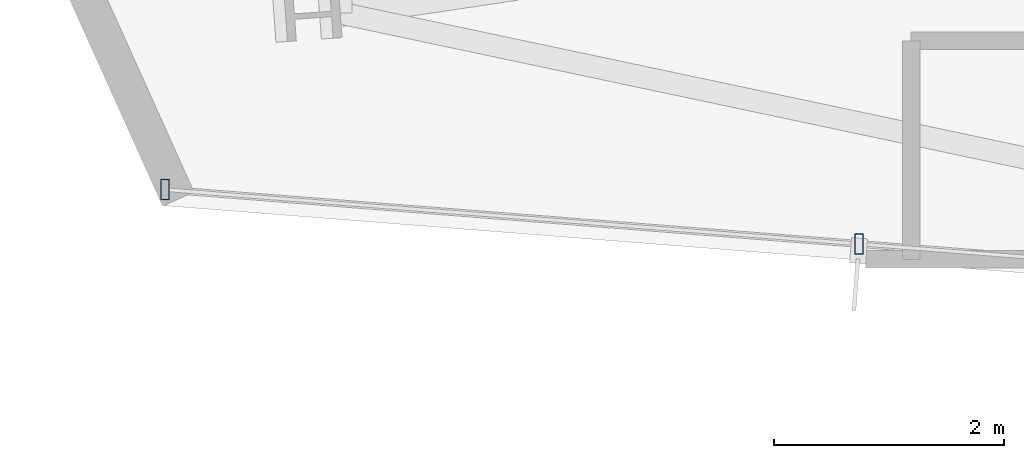
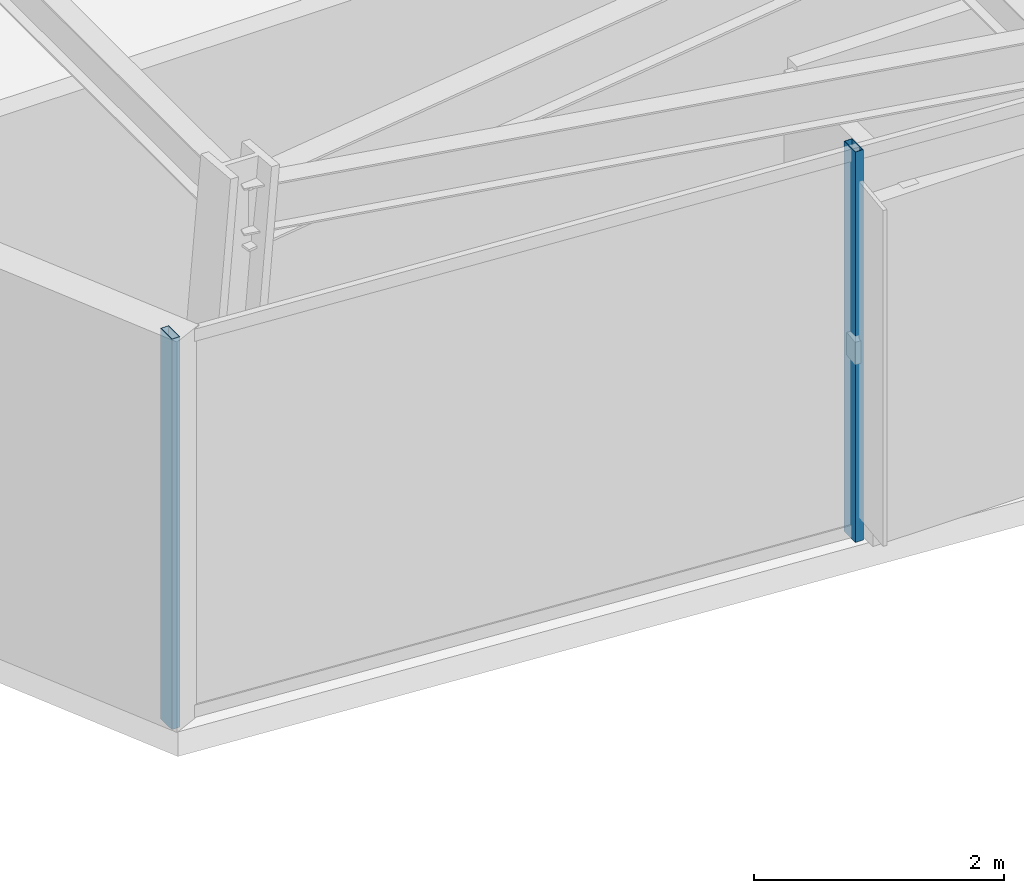
# One storey, part 2 of 31: 2 members, 1 element without a shape of its own.
"""IFC4 building model written with IfcOpenShell, lengths in metres."""

from ifc_helpers import new_model, si_unit, direction, frame, origin, origin_2d, place, context, subcontext, project, spatial, hollow_rectangle, extrude, material, layer, layer_set, material_profile, profile_set, type_object, element, aggregate, save


model = new_model("IFC4")

# Units and contexts
model_context = context("Model", 3, precision=1e-05, world=origin(), true_north=direction((0.0, 1.0)))
body_context = subcontext(model_context, "Body", "Model", "MODEL_VIEW")
ifc_project = project(units=[si_unit("LENGTHUNIT", "METRE"), si_unit("AREAUNIT", "SQUARE_METRE"), si_unit("VOLUMEUNIT", "CUBIC_METRE"), si_unit("PLANEANGLEUNIT", "RADIAN"), si_unit("MASSUNIT", "GRAM", prefix="KILO")], contexts=[model_context])

# Site, building, storey
site_placement = place(None, origin())
site = spatial("IfcSite", under=ifc_project, at=site_placement, CompositionType="ELEMENT")
building_placement = place(site_placement, origin())
building = spatial("IfcBuilding", under=site, at=building_placement, Name="Veymaron Broadcast Tower", CompositionType="ELEMENT")
storey_placement = place(building_placement, frame((0.0, 0.0, 70.199951171875)))
storey = spatial("IfcBuildingStorey", under=building, at=storey_placement, Name="L15", CompositionType="ELEMENT", Elevation=70.199951171875)

# Curtain wall, members
ifc_material_1 = material(Name="Anodised aluminium AA 6063-T6 and laminated low-E dark glass", Category="aluminium")
ifc_layer = layer(ifc_material_1, 0.179931640625)
ifc_layer_set = layer_set([ifc_layer], Name="Anodised aluminium AA 6063-T6 and laminated low-E dark glass")
curtain_wall_type = type_object("IfcCurtainWallType", Name="CW-SYS-02", PredefinedType="NOTDEFINED", material=ifc_layer_set)
curtain_wall_placement = place(storey_placement, origin())
curtain_wall = element("IfcCurtainWall", 1, at=curtain_wall_placement, inside=storey, type_object=curtain_wall_type, Name="L15 dark-glass curtain wall CW-L15-E14-1", PredefinedType="NOTDEFINED")
ifc_material_2 = material(Name="Anodised aluminium AA 6063-T6", Category="aluminium")
ifc_material_profile = material_profile(ifc_material_2, hollow_rectangle(XDim=0.074951171875, YDim=0.179931640625, WallThickness=0.0048828125, at=origin_2d()), Name="AL180X75X5")
ifc_profile_set = profile_set([ifc_material_profile], Name="Anodised aluminium AA 6063-T6")
member_type = type_object("IfcMemberType", Name="CW-MUL-02", PredefinedType="MULLION", material=ifc_profile_set)
member_1_placement = place(storey_placement, frame((7.510986328125, 19.15625, 0.0), z_axis=(0.0, 0.0, 1.0), x_axis=(1.0, 0.0, 0.0)))
member_1 = element("IfcMember", 2, at=member_1_placement, type_object=member_type, Name="CW-L15-E14-1 mullion 0", PredefinedType="MULLION", context=body_context, shape_type="SweptSolid", body=[
    extrude(hollow_rectangle(XDim=0.074951171875, YDim=0.179931640625, WallThickness=0.0048828125, at=origin_2d()), origin(), (0.0, 0.0, 1.0), 3.81005859375),
])
member_2_placement = place(storey_placement, frame((13.546875, 18.683837890625, 0.0), z_axis=(0.0, 0.0, 1.0), x_axis=(1.0, 0.0, 0.0)))
member_2 = element("IfcMember", 3, at=member_2_placement, type_object=member_type, Name="CW-L15-E14-1 mullion 1", PredefinedType="MULLION", context=body_context, shape_type="SweptSolid", body=[
    extrude(hollow_rectangle(XDim=0.074951171875, YDim=0.179931640625, WallThickness=0.0048828125, at=origin_2d()), origin(), (0.0, 0.0, 1.0), 3.81005859375),
])
aggregate(curtain_wall, [member_1, member_2])

save(model, "model.ifc")
